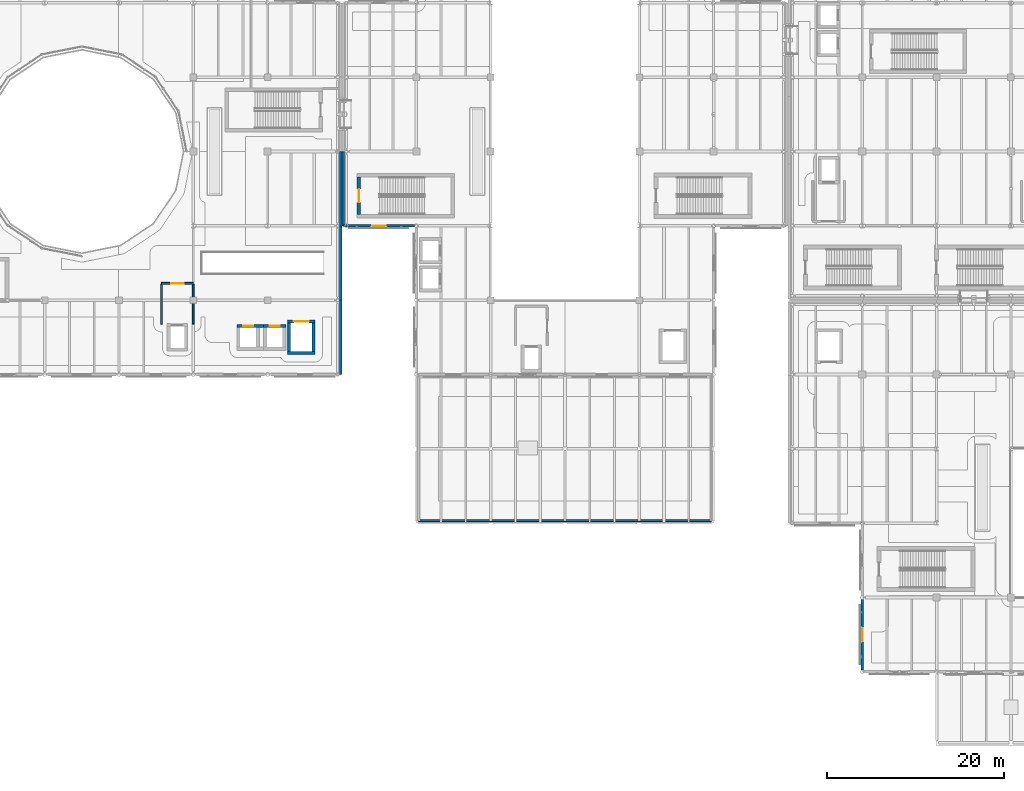
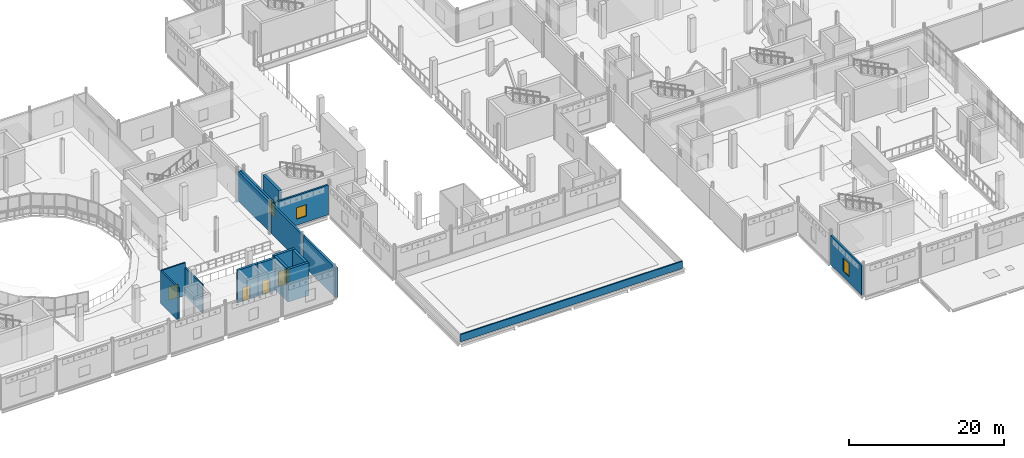
# One storey, part 65 of 110: 17 walls, 5 doors, 2 windows, 7 openings.
"""IFC4 building model written with IfcOpenShell, lengths in metres."""

from ifc_helpers import new_model, si_unit, direction, frame, frame_2d, origin, place, context, subcontext, project, spatial, rectangle, extrude, material, layer, layer_set, type_object, element, fill, save


model = new_model("IFC4")

# Units and contexts
model_context = context("Model", 3, precision=1e-05, world=origin(), true_north=direction((0.0, 1.0)))
body_context = subcontext(model_context, "Body", "Model", "MODEL_VIEW")
ifc_project = project(units=[si_unit("LENGTHUNIT", "METRE"), si_unit("AREAUNIT", "SQUARE_METRE"), si_unit("VOLUMEUNIT", "CUBIC_METRE"), si_unit("PLANEANGLEUNIT", "RADIAN"), si_unit("MASSUNIT", "GRAM", prefix="KILO"), si_unit("THERMODYNAMICTEMPERATUREUNIT", "KELVIN")], contexts=[model_context])

# Site, building, storey
site_placement = place(None, origin())
site = spatial("IfcSite", under=ifc_project, at=site_placement, CompositionType="ELEMENT")
building_placement = place(site_placement, origin())
building = spatial("IfcBuilding", under=site, at=building_placement, Name="Lustrewick Department Store", CompositionType="ELEMENT")
storey_placement = place(building_placement, frame((0.0, 0.0, 6.0)))
storey = spatial("IfcBuildingStorey", under=building, at=storey_placement, Name="L02", CompositionType="ELEMENT", Elevation=6.0)

# Wall, opening, window
ifc_material_1 = material(Name="Precast concrete C40", Category="concrete")
ifc_layer_1 = layer(ifc_material_1, 0.260009765625, Name="Precast concrete C40")
ifc_layer_set_1 = layer_set([ifc_layer_1], Name="Precast concrete C40")
wall_type_1 = type_object("IfcWallType", Name="EW02", PredefinedType="STANDARD", material=ifc_layer_set_1)
wall_1_placement = place(storey_placement, frame((58.949951171875, 58.800048828125, 0.0), z_axis=(0.0, 0.0, 1.0), x_axis=(1.0, 0.0, 0.0)))
wall_1 = element("IfcWall", 1, at=wall_1_placement, inside=storey, type_object=wall_type_1, Name="L02 V2 Exterior Wall EW02", PredefinedType="STANDARD", context=body_context, shape_type="SweptSolid", body=[
    extrude(rectangle(XDim=8.052001953125, YDim=0.260009765625, at=frame_2d((4.02587890625, 0.0))), origin(), (0.0, 0.0, 1.0), 4.697021484375),
])
opening_1_placement = place(wall_1_placement, frame((3.27587890625, 0.0, 0.949951171875)))
opening_1 = element("IfcOpeningElement", 2, at=opening_1_placement, cuts=wall_1, Name="Opening WN03", PredefinedType="OPENING", context=body_context, shape_type="SweptSolid", body=[
    extrude(rectangle(XDim=1.5, YDim=1.800048828125, at=frame_2d((0.75, 0.89990234375))), frame((0.0, 0.14013671875, 0.0), z_axis=(0.0, -1.0, 0.0), x_axis=(1.0, 0.0, 0.0)), (0.0, 0.0, 1.0), 0.280029296875),
])
ifc_material_2 = material(Name="Thermally broken Low-E triple-glazed window", Category="glass")
window_type_1 = type_object("IfcWindowType", Name="WN03", PartitioningType="DOUBLE_PANEL_VERTICAL", PredefinedType="WINDOW", material=ifc_material_2)
window_1_placement = place(opening_1_placement, origin())
window_1 = element("IfcWindow", 3, at=window_1_placement, inside=storey, type_object=window_type_1, Name="L02 Art Nouveau Window WN03", OverallHeight=1.800048828125, OverallWidth=1.5, PartitioningType="SINGLE_PANEL", PredefinedType="WINDOW", context=body_context, shape_type="SweptSolid", body=[
    extrude(rectangle(XDim=1.5, YDim=1.800048828125, at=frame_2d((0.75, 0.89990234375))), frame((0.0, 0.030029296875, 0.0), z_axis=(0.0, -1.0, 0.0), x_axis=(1.0, 0.0, 0.0)), (0.0, 0.0, 1.0), 0.06005859375),
])
fill(opening_1, window_1)

wall_2_placement = place(storey_placement, frame((117.60009765625, 16.60205078125, 0.0), z_axis=(0.0, 0.0, 1.0), x_axis=(0.0, -1.0, 0.0)))
wall_2 = element("IfcWall", 4, at=wall_2_placement, inside=storey, type_object=wall_type_1, Name="L02 V3 Exterior Wall EW02", PredefinedType="STANDARD", context=body_context, shape_type="SweptSolid", body=[
    extrude(rectangle(XDim=8.0185546875, YDim=0.260009765625, at=frame_2d((4.00927734375, 0.0))), origin(), (0.0, 0.0, 1.0), 4.631103515625),
])
opening_2_placement = place(wall_2_placement, frame((3.25927734375, 0.0, 0.949951171875)))
opening_2 = element("IfcOpeningElement", 5, at=opening_2_placement, cuts=wall_2, Name="Opening WN08", PredefinedType="OPENING", context=body_context, shape_type="SweptSolid", body=[
    extrude(rectangle(XDim=1.5, YDim=2.10009765625, at=frame_2d((0.75, 1.050048828125))), frame((0.0, 0.14013671875, 0.0), z_axis=(0.0, -1.0, 0.0), x_axis=(1.0, 0.0, 0.0)), (0.0, 0.0, 1.0), 0.280029296875),
])
window_type_2 = type_object("IfcWindowType", Name="WN08", PartitioningType="DOUBLE_PANEL_VERTICAL", PredefinedType="WINDOW", material=ifc_material_2)
window_2_placement = place(opening_2_placement, origin())
window_2 = element("IfcWindow", 6, at=window_2_placement, inside=storey, type_object=window_type_2, Name="L02 Art Nouveau Window WN08", OverallHeight=2.10009765625, OverallWidth=1.5, PartitioningType="SINGLE_PANEL", PredefinedType="WINDOW", context=body_context, shape_type="SweptSolid", body=[
    extrude(rectangle(XDim=1.5, YDim=2.10009765625, at=frame_2d((0.75, 1.050048828125))), frame((0.0, 0.030029296875, 0.0), z_axis=(0.0, -1.0, 0.0), x_axis=(1.0, 0.0, 0.0)), (0.0, 0.0, 1.0), 0.06005859375),
])
fill(opening_2, window_2)

# Walls
ifc_layer_2 = layer(ifc_material_1, 0.300048828125, Name="Precast concrete C40")
ifc_layer_set_2 = layer_set([ifc_layer_2], Name="Precast concrete C40")
wall_type_2 = type_object("IfcWallType", Name="EW04", PredefinedType="STANDARD", material=ifc_layer_set_2)
wall_3_placement = place(storey_placement, frame((58.64990234375, 42.0, 0.0), z_axis=(0.0, 0.0, 1.0), x_axis=(0.0, 1.0, 0.0)))
element("IfcWall", 7, at=wall_3_placement, inside=storey, type_object=wall_type_2, Name="L02 V1 Exterior Wall EW04", PredefinedType="STANDARD", context=body_context, shape_type="SweptSolid", body=[
    extrude(rectangle(XDim=8.39990234375, YDim=0.300048828125, at=frame_2d((4.199951171875, 0.0))), origin(), (0.0, 0.0, 1.0), 4.631103515625),
])
wall_4_placement = place(storey_placement, frame((58.64990234375, 50.39990234375, 0.0), z_axis=(0.0, 0.0, 1.0), x_axis=(0.0, 1.0, 0.0)))
element("IfcWall", 8, at=wall_4_placement, inside=storey, type_object=wall_type_2, Name="L02 V1 Exterior Wall EW04", PredefinedType="STANDARD", context=body_context, shape_type="SweptSolid", body=[
    extrude(rectangle(XDim=8.400146484375, YDim=0.300048828125, at=frame_2d((4.2001953125, 0.0))), origin(), (0.0, 0.0, 1.0), 4.631103515625),
])
wall_5_placement = place(storey_placement, frame((58.64990234375, 58.800048828125, 0.0), z_axis=(0.0, 0.0, 1.0), x_axis=(0.0, 1.0, 0.0)))
element("IfcWall", 9, at=wall_5_placement, inside=storey, type_object=wall_type_2, Name="L02 V1 Exterior Wall EW04", PredefinedType="STANDARD", context=body_context, shape_type="SweptSolid", body=[
    extrude(rectangle(XDim=8.39990234375, YDim=0.300048828125, at=frame_2d((4.199951171875, 0.0))), origin(), (0.0, 0.0, 1.0), 4.631103515625),
])
wall_6_placement = place(storey_placement, frame((58.949951171875, 67.199951171875, 0.0), z_axis=(0.0, 0.0, 1.0), x_axis=(0.0, -1.0, 0.0)))
element("IfcWall", 10, at=wall_6_placement, inside=storey, type_object=wall_type_2, Name="L02 V2 Exterior Wall EW04", PredefinedType="STANDARD", context=body_context, shape_type="SweptSolid", body=[
    extrude(rectangle(XDim=8.39990234375, YDim=0.300048828125, at=frame_2d((4.199951171875, 0.0))), origin(), (0.0, 0.0, 1.0), 4.697021484375),
])
ifc_layer_3 = layer(ifc_material_1, 0.18994140625, Name="Precast concrete C40")
ifc_layer_set_3 = layer_set([ifc_layer_3], Name="Precast concrete C40")
wall_type_3 = type_object("IfcWallType", Name="PA01", PredefinedType="PARAPET", material=ifc_layer_set_3)
wall_7_placement = place(storey_placement, frame((100.52001953125, 25.47998046875, 0.0), z_axis=(0.0, 0.0, 1.0), x_axis=(-1.0, 0.0, 0.0)))
element("IfcWall", 11, at=wall_7_placement, inside=storey, type_object=wall_type_3, Name="L02 Roof Parapet PA01", PredefinedType="PARAPET", context=body_context, shape_type="SweptSolid", body=[
    extrude(rectangle(XDim=33.0400390625, YDim=0.18994140625, at=frame_2d((16.52001953125, 0.0))), origin(), (0.0, 0.0, 1.0), 1.14990234375),
])

# Wall, opening, door
ifc_material_3 = material(Name="Autoclaved aerated concrete blockwork and fire board", Category="masonry")
ifc_layer_4 = layer(ifc_material_3, 0.205078125, Name="Autoclaved aerated concrete blockwork and fire board")
ifc_layer_set_4 = layer_set([ifc_layer_4], Name="Autoclaved aerated concrete blockwork and fire board")
wall_type_4 = type_object("IfcWallType", Name="PW02", PredefinedType="PARTITIONING", material=ifc_layer_set_4)
wall_8_placement = place(storey_placement, frame((42.0, 52.300048828125, 0.0), z_axis=(0.0, 0.0, 1.0), x_axis=(-1.0, 0.0, 0.0)))
wall_8 = element("IfcWall", 12, at=wall_8_placement, inside=storey, type_object=wall_type_4, Name="L02 Firefighting Lift Lobby FFL-01 PW02", PredefinedType="PARTITIONING", context=body_context, shape_type="SweptSolid", body=[
    extrude(rectangle(XDim=3.60009765625, YDim=0.205078125, at=frame_2d((1.800048828125, 0.0))), origin(), (0.0, 0.0, 1.0), 5.14501953125),
])
opening_3_placement = place(wall_8_placement, frame((1.10009765625, 0.0, 0.0)))
opening_3 = element("IfcOpeningElement", 13, at=opening_3_placement, cuts=wall_8, Name="Opening D-L02-041", PredefinedType="OPENING", context=body_context, shape_type="SweptSolid", body=[
    extrude(rectangle(XDim=1.39990234375, YDim=2.14990234375, at=frame_2d((0.699951171875, 1.074951171875))), frame((0.0, 0.112548828125, 0.0), z_axis=(0.0, -1.0, 0.0), x_axis=(1.0, 0.0, 0.0)), (0.0, 0.0, 1.0), 0.22509765625),
])
ifc_material_4 = material(Name="Steel fire door Class B EI 60", Category="steel")
door_type_1 = type_object("IfcDoorType", Name="DT-08", OperationType="NOTDEFINED", PredefinedType="DOOR", material=ifc_material_4)
door_1_placement = place(opening_3_placement, origin())
door_1 = element("IfcDoor", 14, at=door_1_placement, inside=storey, type_object=door_type_1, Name="L02 Firefighting Lift Lobby FFL-01 Door D-L02-041", OperationType="SINGLE_SWING_LEFT", OverallHeight=2.14990234375, OverallWidth=1.39990234375, PredefinedType="DOOR", context=body_context, shape_type="SweptSolid", body=[
    extrude(rectangle(XDim=1.39990234375, YDim=2.14990234375, at=frame_2d((0.699951171875, 1.074951171875))), frame((0.0, 0.02490234375, 0.0), z_axis=(0.0, -1.0, 0.0), x_axis=(1.0, 0.0, 0.0)), (0.0, 0.0, 1.0), 0.050048828125),
])
fill(opening_3, door_1)

# Walls
wall_9_placement = place(storey_placement, frame((42.0, 47.699951171875, 0.0), z_axis=(0.0, 0.0, 1.0), x_axis=(0.0, 1.0, 0.0)))
element("IfcWall", 15, at=wall_9_placement, inside=storey, type_object=wall_type_4, Name="L02 Firefighting Lift Lobby FFL-01 PW02", PredefinedType="PARTITIONING", context=body_context, shape_type="SweptSolid", body=[
    extrude(rectangle(XDim=4.50244140625, YDim=0.205078125, at=frame_2d((2.251220703125, 0.0))), origin(), (0.0, 0.0, 1.0), 4.428955078125),
])
wall_10_placement = place(storey_placement, frame((38.39990234375, 52.202392578125, 0.0), z_axis=(0.0, 0.0, 1.0), x_axis=(0.0, -1.0, 0.0)))
element("IfcWall", 16, at=wall_10_placement, inside=storey, type_object=wall_type_4, Name="L02 Firefighting Lift Lobby FFL-01 PW02", PredefinedType="PARTITIONING", context=body_context, shape_type="SweptSolid", body=[
    extrude(rectangle(XDim=4.50244140625, YDim=0.205078125, at=frame_2d((2.251220703125, 0.0))), origin(), (0.0, 0.0, 1.0), 5.14501953125),
])

# Wall, opening, door
ifc_material_5 = material(Name="Concrete C50", Category="concrete")
ifc_layer_5 = layer(ifc_material_5, 0.39990234375, Name="Concrete C50")
ifc_layer_set_5 = layer_set([ifc_layer_5], Name="Concrete C50")
wall_type_5 = type_object("IfcWallType", Name="SW02", PredefinedType="SHEAR", material=ifc_layer_set_5)
wall_11_placement = place(storey_placement, frame((60.699951171875, 64.300048828125, 0.0), z_axis=(0.0, 0.0, 1.0), x_axis=(0.0, -1.0, 0.0)))
wall_11 = element("IfcWall", 17, at=wall_11_placement, inside=storey, type_object=wall_type_5, Name="L02 Stair Core ST04 Shear Wall W", PredefinedType="SHEAR", context=body_context, shape_type="SweptSolid", body=[
    extrude(rectangle(XDim=4.199951171875, YDim=0.39990234375, at=frame_2d((2.10009765625, 0.0))), origin(), (0.0, 0.0, 1.0), 5.14501953125),
])
opening_4_placement = place(wall_11_placement, frame((1.35009765625, 0.0, 0.0)))
opening_4 = element("IfcOpeningElement", 18, at=opening_4_placement, cuts=wall_11, Name="Opening D-L02-004", PredefinedType="OPENING", context=body_context, shape_type="SweptSolid", body=[
    extrude(rectangle(XDim=1.5, YDim=2.14990234375, at=frame_2d((0.75, 1.074951171875))), frame((0.0, 0.2099609375, 0.0), z_axis=(0.0, -1.0, 0.0), x_axis=(1.0, 0.0, 0.0)), (0.0, 0.0, 1.0), 0.419921875),
])
door_type_2 = type_object("IfcDoorType", Name="DT-07", OperationType="NOTDEFINED", PredefinedType="DOOR", material=ifc_material_4)
door_2_placement = place(opening_4_placement, origin())
door_2 = element("IfcDoor", 19, at=door_2_placement, inside=storey, type_object=door_type_2, Name="L02 Smoke-Proof Stair ST04 Fire Door", OperationType="SINGLE_SWING_LEFT", OverallHeight=2.14990234375, OverallWidth=1.5, PredefinedType="DOOR", context=body_context, shape_type="SweptSolid", body=[
    extrude(rectangle(XDim=1.5, YDim=2.14990234375, at=frame_2d((0.75, 1.074951171875))), frame((0.0, 0.02490234375, 0.0), z_axis=(0.0, -1.0, 0.0), x_axis=(1.0, 0.0, 0.0)), (0.0, 0.0, 1.0), 0.050048828125),
])
fill(opening_4, door_2)

ifc_material_6 = material(Name="Concrete C40", Category="concrete")
ifc_layer_6 = layer(ifc_material_6, 0.360107421875, Name="Concrete C40")
ifc_layer_set_6 = layer_set([ifc_layer_6], Name="Concrete C40")
wall_type_6 = type_object("IfcWallType", Name="SW04", PredefinedType="SHEAR", material=ifc_layer_set_6)
wall_12_placement = place(storey_placement, frame((49.93994140625, 47.47998046875, 0.0), z_axis=(0.0, 0.0, 1.0), x_axis=(-1.0, 0.0, 0.0)))
wall_12 = element("IfcWall", 20, at=wall_12_placement, inside=storey, type_object=wall_type_6, Name="L02 Lift PL-01 Shaft Wall +Y", PredefinedType="SHEAR", context=body_context, shape_type="SweptSolid", body=[
    extrude(rectangle(XDim=3.0, YDim=0.360107421875, at=frame_2d((1.5, 0.0))), origin(), (0.0, 0.0, 1.0), 5.14501953125),
])
opening_5_placement = place(wall_12_placement, frame((1.1650390625, 0.0, 0.0)))
opening_5 = element("IfcOpeningElement", 21, at=opening_5_placement, cuts=wall_12, Name="Opening LD-L02-05", PredefinedType="OPENING", context=body_context, shape_type="SweptSolid", body=[
    extrude(rectangle(XDim=1.14990234375, YDim=2.199951171875, at=frame_2d((0.574951171875, 1.10009765625))), frame((0.0, 0.18994140625, 0.0), z_axis=(0.0, -1.0, 0.0), x_axis=(1.0, 0.0, 0.0)), (0.0, 0.0, 1.0), 0.380126953125),
])
ifc_material_7 = material(Name="Brushed bronze passenger lift landing door EI 60", Category="steel")
door_type_3 = type_object("IfcDoorType", Name="DT-16", OperationType="NOTDEFINED", PredefinedType="DOOR", material=ifc_material_7)
door_3_placement = place(opening_5_placement, frame((1.14990234375, 0.0, 0.0), z_axis=(0.0, 0.0, 1.0), x_axis=(-1.0, 0.0, 0.0)))
door_3 = element("IfcDoor", 22, at=door_3_placement, inside=storey, type_object=door_type_3, Name="L02 Lift PL-01 Sliding Landing Door LD-L02-05", OperationType="DOUBLE_DOOR_SLIDING", OverallHeight=2.199951171875, OverallWidth=1.14990234375, PredefinedType="DOOR", context=body_context, shape_type="SweptSolid", body=[
    extrude(rectangle(XDim=1.14990234375, YDim=2.199951171875, at=frame_2d((0.574951171875, 1.10009765625))), frame((0.0, 0.02490234375, 0.0), z_axis=(0.0, -1.0, 0.0), x_axis=(1.0, 0.0, 0.0)), (0.0, 0.0, 1.0), 0.050048828125),
])
fill(opening_5, door_3)

wall_13_placement = place(storey_placement, frame((52.4599609375, 47.47998046875, 0.0), z_axis=(0.0, 0.0, 1.0), x_axis=(-1.0, 0.0, 0.0)))
wall_13 = element("IfcWall", 23, at=wall_13_placement, inside=storey, type_object=wall_type_6, Name="L02 Lift PL-02 Shaft Wall +Y", PredefinedType="SHEAR", context=body_context, shape_type="SweptSolid", body=[
    extrude(rectangle(XDim=2.52001953125, YDim=0.360107421875, at=frame_2d((1.260009765625, 0.0))), origin(), (0.0, 0.0, 1.0), 5.14501953125),
])
opening_6_placement = place(wall_13_placement, frame((0.68505859375, 0.0, 0.0)))
opening_6 = element("IfcOpeningElement", 24, at=opening_6_placement, cuts=wall_13, Name="Opening LD-L02-06", PredefinedType="OPENING", context=body_context, shape_type="SweptSolid", body=[
    extrude(rectangle(XDim=1.14990234375, YDim=2.199951171875, at=frame_2d((0.574951171875, 1.10009765625))), frame((0.0, 0.18994140625, 0.0), z_axis=(0.0, -1.0, 0.0), x_axis=(1.0, 0.0, 0.0)), (0.0, 0.0, 1.0), 0.380126953125),
])
door_4_placement = place(opening_6_placement, frame((1.14990234375, 0.0, 0.0), z_axis=(0.0, 0.0, 1.0), x_axis=(-1.0, 0.0, 0.0)))
door_4 = element("IfcDoor", 25, at=door_4_placement, inside=storey, type_object=door_type_3, Name="L02 Lift PL-02 Sliding Landing Door LD-L02-06", OperationType="DOUBLE_DOOR_SLIDING", OverallHeight=2.199951171875, OverallWidth=1.14990234375, PredefinedType="DOOR", context=body_context, shape_type="SweptSolid", body=[
    extrude(rectangle(XDim=1.14990234375, YDim=2.199951171875, at=frame_2d((0.574951171875, 1.10009765625))), frame((0.0, 0.02490234375, 0.0), z_axis=(0.0, -1.0, 0.0), x_axis=(1.0, 0.0, 0.0)), (0.0, 0.0, 1.0), 0.050048828125),
])
fill(opening_6, door_4)

# Walls
wall_14_placement = place(storey_placement, frame((52.639892578125, 44.419921875, 0.0), z_axis=(0.0, 0.0, 1.0), x_axis=(1.0, 0.0, 0.0)))
element("IfcWall", 26, at=wall_14_placement, inside=storey, type_object=wall_type_6, Name="L02 Lift GL-01 Shaft Wall -Y", PredefinedType="SHEAR", context=body_context, shape_type="SweptSolid", body=[
    extrude(rectangle(XDim=3.1201171875, YDim=0.360107421875, at=frame_2d((1.56005859375, 0.0))), origin(), (0.0, 0.0, 1.0), 5.14501953125),
])
wall_15_placement = place(storey_placement, frame((55.580078125, 44.60009765625, 0.0), z_axis=(0.0, 0.0, 1.0), x_axis=(0.0, 1.0, 0.0)))
element("IfcWall", 27, at=wall_15_placement, inside=storey, type_object=wall_type_6, Name="L02 Lift GL-01 Shaft Wall +X", PredefinedType="SHEAR", context=body_context, shape_type="SweptSolid", body=[
    extrude(rectangle(XDim=3.199951171875, YDim=0.360107421875, at=frame_2d((1.60009765625, 0.0))), origin(), (0.0, 0.0, 1.0), 5.14501953125),
])

# Wall, opening, door
wall_16_placement = place(storey_placement, frame((55.760009765625, 47.97998046875, 0.0), z_axis=(0.0, 0.0, 1.0), x_axis=(-1.0, 0.0, 0.0)))
wall_16 = element("IfcWall", 28, at=wall_16_placement, inside=storey, type_object=wall_type_6, Name="L02 Lift GL-01 Shaft Wall +Y", PredefinedType="SHEAR", context=body_context, shape_type="SweptSolid", body=[
    extrude(rectangle(XDim=3.1201171875, YDim=0.360107421875, at=frame_2d((1.56005859375, 0.0))), origin(), (0.0, 0.0, 1.0), 5.14501953125),
])
opening_7_placement = place(wall_16_placement, frame((0.7099609375, 0.0, 0.0)))
opening_7 = element("IfcOpeningElement", 29, at=opening_7_placement, cuts=wall_16, Name="Opening LD-L02-13", PredefinedType="OPENING", context=body_context, shape_type="SweptSolid", body=[
    extrude(rectangle(XDim=1.699951171875, YDim=2.300048828125, at=frame_2d((0.85009765625, 1.14990234375))), frame((0.0, 0.18994140625, 0.0), z_axis=(0.0, -1.0, 0.0), x_axis=(1.0, 0.0, 0.0)), (0.0, 0.0, 1.0), 0.380126953125),
])
ifc_material_8 = material(Name="Heavy-duty stainless goods lift landing door EI 90", Category="steel")
door_type_4 = type_object("IfcDoorType", Name="DT-17", OperationType="NOTDEFINED", PredefinedType="DOOR", material=ifc_material_8)
door_5_placement = place(opening_7_placement, frame((1.699951171875, 0.0, 0.0), z_axis=(0.0, 0.0, 1.0), x_axis=(-1.0, 0.0, 0.0)))
door_5 = element("IfcDoor", 30, at=door_5_placement, inside=storey, type_object=door_type_4, Name="L02 Lift GL-01 Sliding Landing Door LD-L02-13", OperationType="DOUBLE_DOOR_SLIDING", OverallHeight=2.300048828125, OverallWidth=1.699951171875, PredefinedType="DOOR", context=body_context, shape_type="SweptSolid", body=[
    extrude(rectangle(XDim=1.699951171875, YDim=2.300048828125, at=frame_2d((0.85009765625, 1.14990234375))), frame((0.0, 0.02490234375, 0.0), z_axis=(0.0, -1.0, 0.0), x_axis=(1.0, 0.0, 0.0)), (0.0, 0.0, 1.0), 0.050048828125),
])
fill(opening_7, door_5)

# Wall
wall_17_placement = place(storey_placement, frame((52.820068359375, 47.800048828125, 0.0), z_axis=(0.0, 0.0, 1.0), x_axis=(0.0, -1.0, 0.0)))
element("IfcWall", 31, at=wall_17_placement, inside=storey, type_object=wall_type_6, Name="L02 Lift GL-01 Shaft Wall -X", PredefinedType="SHEAR", context=body_context, shape_type="SweptSolid", body=[
    extrude(rectangle(XDim=3.199951171875, YDim=0.360107421875, at=frame_2d((1.60009765625, 0.0))), origin(), (0.0, 0.0, 1.0), 5.14501953125),
])

save(model, "model.ifc")
